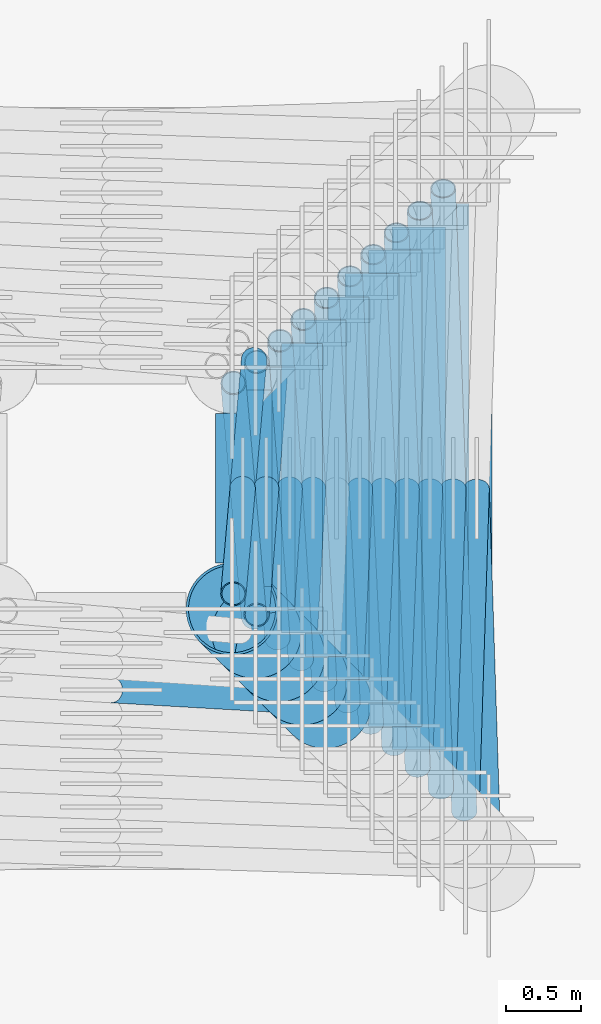
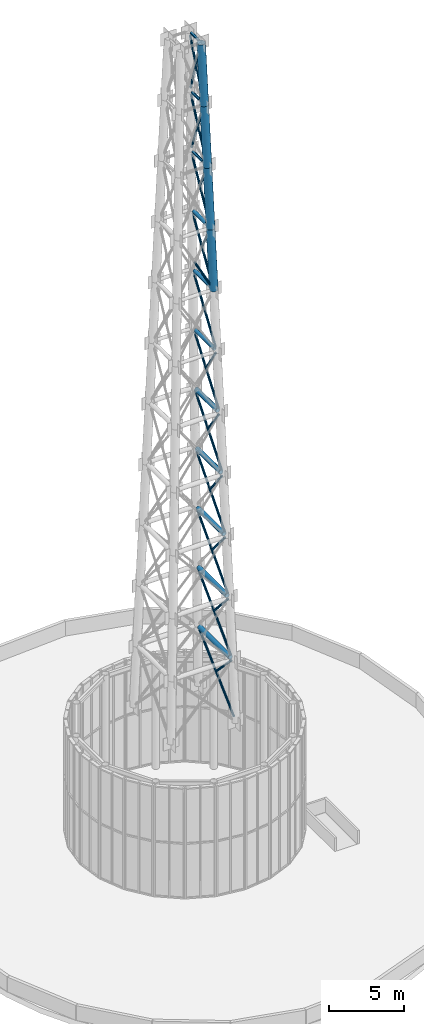
# One storey, part 4 of 11: 39 members.
"""IFC4 building model written with IfcOpenShell, lengths in metres."""

from ifc_helpers import new_model, si_unit, direction, frame, origin, origin_2d, place, context, subcontext, project, spatial, hollow_circle, extrude, material, material_profile, profile_set, type_object, element, save


model = new_model("IFC4")

# Units and contexts
model_context = context("Model", 3, precision=1e-05, world=origin(), true_north=direction((0.0, 1.0)))
body_context = subcontext(model_context, "Body", "Model", "MODEL_VIEW")
ifc_project = project(units=[si_unit("LENGTHUNIT", "METRE"), si_unit("AREAUNIT", "SQUARE_METRE"), si_unit("VOLUMEUNIT", "CUBIC_METRE"), si_unit("PLANEANGLEUNIT", "RADIAN"), si_unit("MASSUNIT", "GRAM", prefix="KILO")], contexts=[model_context])

# Site, building, storey
site_placement = place(None, origin())
site = spatial("IfcSite", under=ifc_project, at=site_placement, CompositionType="ELEMENT")
building_placement = place(site_placement, origin())
building = spatial("IfcBuilding", under=site, at=building_placement, Name="Vermilion Reach Broadcast Tower", CompositionType="ELEMENT")
storey_placement = place(building_placement, frame((0.0, 0.0, 329.699951171875)))
storey = spatial("IfcBuildingStorey", under=building, at=storey_placement, Name="RF", CompositionType="ELEMENT", Elevation=329.699951171875)

# Members
ifc_material_1 = material(Name="Steel S355J2H", Category="steel")
ifc_material_profile_1 = material_profile(ifc_material_1, hollow_circle(Radius=0.084228515625, WallThickness=0.008056640625, at=origin_2d()), Name="S355J2H CHS 168x8")
ifc_profile_set_1 = profile_set([ifc_material_profile_1], Name="Steel S355J2H")
member_type_1 = type_object("IfcMemberType", Name="MBR CHS 168x8", PredefinedType="BRACE", material=ifc_profile_set_1)
member_1_placement = place(storey_placement, frame((-3.5068359375, -2.287841796875, 9.718994140625), z_axis=(-0.022168783779, 0.695761707887, 0.717930491666), x_axis=(-0.99949277323, -0.031846448183, 0.0)))
element("IfcMember", 1, at=member_1_placement, inside=storey, type_object=member_type_1, Name="Mast brace panel 1", PredefinedType="BRACE", context=body_context, shape_type="SweptSolid", body=[
    extrude(hollow_circle(Radius=0.084228515625, WallThickness=0.008056640625, at=origin_2d()), origin(), (0.0, 0.0, 1.0), 6.3544921875),
])
member_2_placement = place(storey_placement, frame((-3.579833984375, 0.0, 12.079833984375), z_axis=(-0.022136242917, -0.695778743189, 0.717914986106), x_axis=(0.999494284838, -0.031798971296, 0.0)))
element("IfcMember", 2, at=member_2_placement, inside=storey, type_object=member_type_1, Name="Mast brace panel 1", PredefinedType="BRACE", context=body_context, shape_type="SweptSolid", body=[
    extrude(hollow_circle(Radius=0.084228515625, WallThickness=0.008056640625, at=origin_2d()), origin(), (0.0, 0.0, 1.0), 3.066162109375),
])
member_3_placement = place(storey_placement, frame((-3.66162109375, -2.140625, 14.725830078125), z_axis=(-0.022852051485, 0.671770828267, 0.740406468119), x_axis=(-0.999421902107, -0.033997964486, 0.0)))
element("IfcMember", 3, at=member_3_placement, inside=storey, type_object=member_type_1, Name="Mast brace panel 2", PredefinedType="BRACE", context=body_context, shape_type="SweptSolid", body=[
    extrude(hollow_circle(Radius=0.084228515625, WallThickness=0.008056640625, at=origin_2d()), origin(), (0.0, 0.0, 1.0), 6.14306640625),
])
member_4_placement = place(storey_placement, frame((-3.734375, 0.0, 17.085205078125), z_axis=(-0.022874281268, -0.671777177322, 0.740400021127), x_axis=(0.999420788764, -0.034030677134, 0.0)))
element("IfcMember", 4, at=member_4_placement, inside=storey, type_object=member_type_1, Name="Mast brace panel 2", PredefinedType="BRACE", context=body_context, shape_type="SweptSolid", body=[
    extrude(hollow_circle(Radius=0.084228515625, WallThickness=0.008056640625, at=origin_2d()), origin(), (0.0, 0.0, 1.0), 2.95654296875),
])
member_5_placement = place(storey_placement, frame((-3.81640625, -1.994140625, 19.73291015625), z_axis=(-0.023594585476, 0.645480445535, 0.763412267368), x_axis=(-0.999332588664, -0.036529128567, 0.0)))
element("IfcMember", 5, at=member_5_placement, inside=storey, type_object=member_type_1, Name="Mast brace panel 3", PredefinedType="BRACE", context=body_context, shape_type="SweptSolid", body=[
    extrude(hollow_circle(Radius=0.084228515625, WallThickness=0.008056640625, at=origin_2d()), origin(), (0.0, 0.0, 1.0), 5.939453125),
])
member_6_placement = place(storey_placement, frame((-3.88916015625, 0.0, 22.091552734375), z_axis=(-0.023644360041, -0.645508162712, 0.763387291033), x_axis=(0.999329830116, -0.03660451667, 0.0)))
element("IfcMember", 6, at=member_6_placement, inside=storey, type_object=member_type_1, Name="Mast brace panel 3", PredefinedType="BRACE", context=body_context, shape_type="SweptSolid", body=[
    extrude(hollow_circle(Radius=0.084228515625, WallThickness=0.008056640625, at=origin_2d()), origin(), (0.0, 0.0, 1.0), 2.849853515625),
])
member_7_placement = place(storey_placement, frame((-3.970947265625, -1.848388671875, 24.739990234375), z_axis=(-0.024353063313, 0.616646763717, 0.78686320101), x_axis=(-0.999221073228, -0.039461966708, 0.0)))
element("IfcMember", 7, at=member_7_placement, inside=storey, type_object=member_type_1, Name="Mast brace panel 4", PredefinedType="BRACE", context=body_context, shape_type="SweptSolid", body=[
    extrude(hollow_circle(Radius=0.084228515625, WallThickness=0.008056640625, at=origin_2d()), origin(), (0.0, 0.0, 1.0), 5.744384765625),
])
member_8_placement = place(storey_placement, frame((-4.0439453125, 0.0, 27.0986328125), z_axis=(-0.024353243827, -0.616652575441, 0.786858640873), x_axis=(0.99922107636, -0.03946188742, 0.0)))
element("IfcMember", 8, at=member_8_placement, inside=storey, type_object=member_type_1, Name="Mast brace panel 4", PredefinedType="BRACE", context=body_context, shape_type="SweptSolid", body=[
    extrude(hollow_circle(Radius=0.084228515625, WallThickness=0.008056640625, at=origin_2d()), origin(), (0.0, 0.0, 1.0), 2.746826171875),
])
member_9_placement = place(storey_placement, frame((-4.125732421875, -1.703369140625, 29.747314453125), z_axis=(-0.02507953529, 0.585086671812, 0.810582878784), x_axis=(-0.999082574948, -0.042825324697, 0.0)))
element("IfcMember", 9, at=member_9_placement, inside=storey, type_object=member_type_1, Name="Mast brace panel 5", PredefinedType="BRACE", context=body_context, shape_type="SweptSolid", body=[
    extrude(hollow_circle(Radius=0.084228515625, WallThickness=0.008056640625, at=origin_2d()), origin(), (0.0, 0.0, 1.0), 5.55859375),
])
member_10_placement = place(storey_placement, frame((-4.19873046875, 0.0, 32.107177734375), z_axis=(-0.025085714748, -0.585087405747, 0.810582157805), x_axis=(0.999082125717, -0.042835803625, 0.0)))
element("IfcMember", 10, at=member_10_placement, inside=storey, type_object=member_type_1, Name="Mast brace panel 5", PredefinedType="BRACE", context=body_context, shape_type="SweptSolid", body=[
    extrude(hollow_circle(Radius=0.084228515625, WallThickness=0.008056640625, at=origin_2d()), origin(), (0.0, 0.0, 1.0), 2.647216796875),
])
member_11_placement = place(storey_placement, frame((-4.280517578125, -1.559326171875, 34.754638671875), z_axis=(-0.025807611822, 0.550668216389, 0.834325166006), x_axis=(-0.998903595226, -0.046814607173, 0.0)))
element("IfcMember", 11, at=member_11_placement, inside=storey, type_object=member_type_1, Name="Mast brace panel 6", PredefinedType="BRACE", context=body_context, shape_type="SweptSolid", body=[
    extrude(hollow_circle(Radius=0.084228515625, WallThickness=0.008056640625, at=origin_2d()), origin(), (0.0, 0.0, 1.0), 5.3828125),
])
member_12_placement = place(storey_placement, frame((-4.353515625, 0.0, 37.1171875), z_axis=(-0.025839398173, -0.550666285519, 0.834325456579), x_axis=(0.998900889513, -0.046872304513, 0.0)))
element("IfcMember", 12, at=member_12_placement, inside=storey, type_object=member_type_1, Name="Mast brace panel 6", PredefinedType="BRACE", context=body_context, shape_type="SweptSolid", body=[
    extrude(hollow_circle(Radius=0.084228515625, WallThickness=0.008056640625, at=origin_2d()), origin(), (0.0, 0.0, 1.0), 2.551025390625),
])
member_13_placement = place(storey_placement, frame((-4.435302734375, -1.416259765625, 39.76171875), z_axis=(-0.026527514166, 0.513192774051, 0.857863315252), x_axis=(-0.998666684905, -0.051622208984, 0.0)))
element("IfcMember", 13, at=member_13_placement, inside=storey, type_object=member_type_1, Name="Mast brace panel 7", PredefinedType="BRACE", context=body_context, shape_type="SweptSolid", body=[
    extrude(hollow_circle(Radius=0.084228515625, WallThickness=0.008056640625, at=origin_2d()), origin(), (0.0, 0.0, 1.0), 5.21826171875),
])
member_14_placement = place(storey_placement, frame((-4.725830078125, -1.409912109375, 44.768798828125), z_axis=(-0.472540913647, 0.027253269785, 0.880887248299), x_axis=(-0.057578202863, -0.998340999136, 0.0)))
element("IfcMember", 14, at=member_14_placement, inside=storey, type_object=member_type_1, Name="Mast brace panel 8", PredefinedType="BRACE", context=body_context, shape_type="SweptSolid", body=[
    extrude(hollow_circle(Radius=0.084228515625, WallThickness=0.008056640625, at=origin_2d()), origin(), (0.0, 0.0, 1.0), 2.696533203125),
])
member_15_placement = place(storey_placement, frame((-4.590087890625, -1.274169921875, 44.768798828125), z_axis=(-0.027228391068, 0.472521016669, 0.880898690841), x_axis=(-0.998343880027, -0.057528229701, 0.0)))
element("IfcMember", 15, at=member_15_placement, inside=storey, type_object=member_type_1, Name="Mast brace panel 8", PredefinedType="BRACE", context=body_context, shape_type="SweptSolid", body=[
    extrude(hollow_circle(Radius=0.084228515625, WallThickness=0.008056640625, at=origin_2d()), origin(), (0.0, 0.0, 1.0), 5.06591796875),
])
member_16_placement = place(storey_placement, frame((-4.66357421875, 0.0, 47.14404296875), z_axis=(-0.027200080882, -0.472498374716, 0.880911710384), x_axis=(0.998347155541, -0.057471358278, 0.0)))
element("IfcMember", 16, at=member_16_placement, inside=storey, type_object=member_type_1, Name="Mast brace panel 8", PredefinedType="BRACE", context=body_context, shape_type="SweptSolid", body=[
    extrude(hollow_circle(Radius=0.084228515625, WallThickness=0.008056640625, at=origin_2d()), origin(), (0.0, 0.0, 1.0), 2.36962890625),
])
member_17_placement = place(storey_placement, frame((-4.744873046875, -1.1328125, 49.775390625), z_axis=(-0.027899959628, 0.428509681885, 0.903106330829), x_axis=(-0.997887105807, -0.064971717424, 0.0)))
element("IfcMember", 17, at=member_17_placement, inside=storey, type_object=member_type_1, Name="Mast brace panel 9", PredefinedType="BRACE", context=body_context, shape_type="SweptSolid", body=[
    extrude(hollow_circle(Radius=0.084228515625, WallThickness=0.008056640625, at=origin_2d()), origin(), (0.0, 0.0, 1.0), 4.926513671875),
])
member_18_placement = place(storey_placement, frame((-4.818603515625, 0.0, 52.162841796875), z_axis=(-0.027911294678, -0.428507884197, 0.903106833553), x_axis=(0.997885376383, -0.06499827383, 0.0)))
element("IfcMember", 18, at=member_18_placement, inside=storey, type_object=member_type_1, Name="Mast brace panel 9", PredefinedType="BRACE", context=body_context, shape_type="SweptSolid", body=[
    extrude(hollow_circle(Radius=0.084228515625, WallThickness=0.008056640625, at=origin_2d()), origin(), (0.0, 0.0, 1.0), 2.282958984375),
])
member_19_placement = place(storey_placement, frame((-4.899658203125, -0.99267578125, 54.781982421875), z_axis=(-0.028577811466, 0.381325637338, 0.923998954004), x_axis=(-0.997203523276, -0.074733748511, 0.0)))
element("IfcMember", 19, at=member_19_placement, inside=storey, type_object=member_type_1, Name="Mast brace panel 10", PredefinedType="BRACE", context=body_context, shape_type="SweptSolid", body=[
    extrude(hollow_circle(Radius=0.084228515625, WallThickness=0.008056640625, at=origin_2d()), origin(), (0.0, 0.0, 1.0), 4.80126953125),
])
member_20_placement = place(storey_placement, frame((-4.899658203125, 0.99267578125, 54.781982421875), z_axis=(-0.02851141682, -0.381340199973, 0.923994995114), x_axis=(0.997216659819, -0.07455825494, 0.0)))
element("IfcMember", 20, at=member_20_placement, inside=storey, type_object=member_type_1, Name="Mast brace panel 10", PredefinedType="BRACE", context=body_context, shape_type="SweptSolid", body=[
    extrude(hollow_circle(Radius=0.084228515625, WallThickness=0.008056640625, at=origin_2d()), origin(), (0.0, 0.0, 1.0), 2.60302734375),
])
member_21_placement = place(storey_placement, frame((-4.973876953125, 0.0, 57.187255859375), z_axis=(-0.028656441679, -0.381308388698, 0.924003636929), x_axis=(0.997187925026, -0.074941591802, 0.0)))
element("IfcMember", 21, at=member_21_placement, inside=storey, type_object=member_type_1, Name="Mast brace panel 10", PredefinedType="BRACE", context=body_context, shape_type="SweptSolid", body=[
    extrude(hollow_circle(Radius=0.084228515625, WallThickness=0.008056640625, at=origin_2d()), origin(), (0.0, 0.0, 1.0), 2.197998046875),
])
member_22_placement = place(storey_placement, frame((-5.054443359375, -0.853515625, 59.787841796875), z_axis=(-0.029144790589, 0.330949505994, 0.943198285444), x_axis=(-0.996144761225, -0.087724652663, 0.0)))
element("IfcMember", 22, at=member_22_placement, inside=storey, type_object=member_type_1, Name="Mast brace panel 11", PredefinedType="BRACE", context=body_context, shape_type="SweptSolid", body=[
    extrude(hollow_circle(Radius=0.084228515625, WallThickness=0.008056640625, at=origin_2d()), origin(), (0.0, 0.0, 1.0), 4.69091796875),
])
member_23_placement = place(storey_placement, frame((-5.054443359375, 0.853515625, 59.787841796875), z_axis=(-0.029158215786, -0.330964683072, 0.943192545036), x_axis=(0.996141581055, -0.087760757141, 0.0)))
element("IfcMember", 23, at=member_23_placement, inside=storey, type_object=member_type_1, Name="Mast brace panel 11", PredefinedType="BRACE", context=body_context, shape_type="SweptSolid", body=[
    extrude(hollow_circle(Radius=0.084228515625, WallThickness=0.008056640625, at=origin_2d()), origin(), (0.0, 0.0, 1.0), 2.578857421875),
])
member_24_placement = place(storey_placement, frame((-5.129638671875, 0.0, 62.22021484375), z_axis=(-0.029128398778, -0.330930975003, 0.943205293756), x_axis=(0.996148642773, -0.087680565134, 0.0)))
element("IfcMember", 24, at=member_24_placement, inside=storey, type_object=member_type_1, Name="Mast brace panel 11", PredefinedType="BRACE", context=body_context, shape_type="SweptSolid", body=[
    extrude(hollow_circle(Radius=0.084228515625, WallThickness=0.008056640625, at=origin_2d()), origin(), (0.0, 0.0, 1.0), 2.112060546875),
])
ifc_material_2 = material(Name="Steel S355J2H", Category="steel")
ifc_material_profile_2 = material_profile(ifc_material_2, hollow_circle(Radius=0.304931640625, WallThickness=0.02001953125, at=origin_2d()), Name="S355J2H CHS 610x20")
ifc_profile_set_2 = profile_set([ifc_material_profile_2], Name="Steel S355J2H")
member_type_2 = type_object("IfcMemberType", Name="MLG2 CHS 610x20", PredefinedType="POST", material=ifc_profile_set_2)
member_25_placement = place(storey_placement, frame((-4.581787109375, -1.418212890625, 44.5), z_axis=(-0.030878718237, 0.030878718237, 0.99904604975), x_axis=(-0.707106781187, -0.707106781187, 0.0)))
element("IfcMember", 25, at=member_25_placement, inside=storey, type_object=member_type_2, Name="Mast leg L2 panel 8", PredefinedType="POST", context=body_context, shape_type="SweptSolid", body=[
    extrude(hollow_circle(Radius=0.304931640625, WallThickness=0.02001953125, at=origin_2d()), origin(), (0.0, 0.0, 1.0), 5.0048828125),
])
ifc_material_3 = material(Name="Steel S355J2H", Category="steel")
ifc_material_profile_3 = material_profile(ifc_material_3, hollow_circle(Radius=0.304931640625, WallThickness=0.01611328125, at=origin_2d()), Name="S355J2H CHS 610x16")
ifc_profile_set_3 = profile_set([ifc_material_profile_3], Name="Steel S355J2H")
member_type_3 = type_object("IfcMemberType", Name="MLG3 CHS 610x16", PredefinedType="POST", material=ifc_profile_set_3)
for number, where, z_axis, x_axis, name in (
    (26, (-4.736328125, -1.263671875, 49.5), (-0.030878718237, 0.030878718237, 0.99904604975), (-0.707106781187, -0.707106781187, 0.0), "Mast leg L2 panel 9"),
    (27, (-4.890869140625, -1.109130859375, 54.5), (-0.030878718237, 0.030878718237, 0.99904604975), (-0.707106781187, -0.707106781187, 0.0), "Mast leg L2 panel 10"),
    (28, (-5.04541015625, -0.95458984375, 59.5), (-0.030878718237, 0.030878718237, 0.99904604975), (-0.707106781187, -0.707106781187, 0.0), "Mast leg L2 panel 11"),
):
    element("IfcMember", number, at=place(storey_placement, frame(where, z_axis=z_axis, x_axis=x_axis)), inside=storey, type_object=member_type_3, Name=name, PredefinedType="POST", context=body_context, shape_type="SweptSolid", body=[
        extrude(hollow_circle(Radius=0.304931640625, WallThickness=0.01611328125, at=origin_2d()), origin(), (0.0, 0.0, 1.0), 5.0048828125),
    ])
ifc_material_4 = material(Name="Steel S355J2H", Category="steel")
ifc_material_profile_4 = material_profile(ifc_material_4, hollow_circle(Radius=0.177734375, WallThickness=0.013916015625, at=origin_2d()), Name="S355J2H CHS 356x14")
ifc_profile_set_4 = profile_set([ifc_material_profile_4], Name="Steel S355J2H")
member_type_4 = type_object("IfcMemberType", Name="MTE1 CHS 356x14", PredefinedType="STRUT", material=ifc_profile_set_4)
member_26_placement = place(storey_placement, frame((-3.654541015625, -2.04052734375, 14.5), z_axis=(0.0, 1.0, 0.0), x_axis=(-1.0, 0.0, 0.0)))
element("IfcMember", 29, at=member_26_placement, inside=storey, type_object=member_type_4, Name="Mast tie level 1", PredefinedType="STRUT", context=body_context, shape_type="SweptSolid", body=[
    extrude(hollow_circle(Radius=0.177734375, WallThickness=0.013916015625, at=origin_2d()), origin(), (0.0, 0.0, 1.0), 4.0810546875),
])
member_27_placement = place(storey_placement, frame((-3.80908203125, -1.885986328125, 19.5), z_axis=(0.0, 1.0, 0.0), x_axis=(-1.0, 0.0, 0.0)))
element("IfcMember", 30, at=member_27_placement, inside=storey, type_object=member_type_4, Name="Mast tie level 2", PredefinedType="STRUT", context=body_context, shape_type="SweptSolid", body=[
    extrude(hollow_circle(Radius=0.177734375, WallThickness=0.013916015625, at=origin_2d()), origin(), (0.0, 0.0, 1.0), 3.77197265625),
])
member_28_placement = place(storey_placement, frame((-3.963623046875, -1.7314453125, 24.5), z_axis=(0.0, 1.0, 0.0), x_axis=(-1.0, 0.0, 0.0)))
element("IfcMember", 31, at=member_28_placement, inside=storey, type_object=member_type_4, Name="Mast tie level 3", PredefinedType="STRUT", context=body_context, shape_type="SweptSolid", body=[
    extrude(hollow_circle(Radius=0.177734375, WallThickness=0.013916015625, at=origin_2d()), origin(), (0.0, 0.0, 1.0), 3.462890625),
])
member_29_placement = place(storey_placement, frame((-4.1181640625, -1.576904296875, 29.5), z_axis=(0.0, 1.0, 0.0), x_axis=(-1.0, 0.0, 0.0)))
element("IfcMember", 32, at=member_29_placement, inside=storey, type_object=member_type_4, Name="Mast tie level 4", PredefinedType="STRUT", context=body_context, shape_type="SweptSolid", body=[
    extrude(hollow_circle(Radius=0.177734375, WallThickness=0.013916015625, at=origin_2d()), origin(), (0.0, 0.0, 1.0), 3.15380859375),
])
member_30_placement = place(storey_placement, frame((-4.272705078125, -1.42236328125, 34.5), z_axis=(0.0, 1.0, 0.0), x_axis=(-1.0, 0.0, 0.0)))
element("IfcMember", 33, at=member_30_placement, inside=storey, type_object=member_type_4, Name="Mast tie level 5", PredefinedType="STRUT", context=body_context, shape_type="SweptSolid", body=[
    extrude(hollow_circle(Radius=0.177734375, WallThickness=0.013916015625, at=origin_2d()), origin(), (0.0, 0.0, 1.0), 2.8447265625),
])
ifc_material_5 = material(Name="Steel S355J2H", Category="steel")
ifc_material_profile_5 = material_profile(ifc_material_5, hollow_circle(Radius=0.136474609375, WallThickness=0.011962890625, at=origin_2d()), Name="S355J2H CHS 273x12")
ifc_profile_set_5 = profile_set([ifc_material_profile_5], Name="Steel S355J2H")
member_type_5 = type_object("IfcMemberType", Name="MTE2 CHS 273x12", PredefinedType="STRUT", material=ifc_profile_set_5)
member_31_placement = place(storey_placement, frame((-4.42724609375, -1.267822265625, 39.5), z_axis=(0.0, 1.0, 0.0), x_axis=(-1.0, 0.0, 0.0)))
element("IfcMember", 34, at=member_31_placement, inside=storey, type_object=member_type_5, Name="Mast tie level 6", PredefinedType="STRUT", context=body_context, shape_type="SweptSolid", body=[
    extrude(hollow_circle(Radius=0.136474609375, WallThickness=0.011962890625, at=origin_2d()), origin(), (0.0, 0.0, 1.0), 2.53564453125),
])
member_32_placement = place(storey_placement, frame((-4.581787109375, -1.11328125, 44.5), z_axis=(0.0, 1.0, 0.0), x_axis=(-1.0, 0.0, 0.0)))
element("IfcMember", 35, at=member_32_placement, inside=storey, type_object=member_type_5, Name="Mast tie level 7", PredefinedType="STRUT", context=body_context, shape_type="SweptSolid", body=[
    extrude(hollow_circle(Radius=0.136474609375, WallThickness=0.011962890625, at=origin_2d()), origin(), (0.0, 0.0, 1.0), 2.2265625),
])
member_33_placement = place(storey_placement, frame((-4.736328125, -0.958740234375, 49.5), z_axis=(0.0, 1.0, 0.0), x_axis=(-1.0, 0.0, 0.0)))
element("IfcMember", 36, at=member_33_placement, inside=storey, type_object=member_type_5, Name="Mast tie level 8", PredefinedType="STRUT", context=body_context, shape_type="SweptSolid", body=[
    extrude(hollow_circle(Radius=0.136474609375, WallThickness=0.011962890625, at=origin_2d()), origin(), (0.0, 0.0, 1.0), 1.91748046875),
])
ifc_material_6 = material(Name="Steel S355J2H", Category="steel")
ifc_material_profile_6 = material_profile(ifc_material_6, hollow_circle(Radius=0.109619140625, WallThickness=0.010009765625, at=origin_2d()), Name="S355J2H CHS 219x10")
ifc_profile_set_6 = profile_set([ifc_material_profile_6], Name="Steel S355J2H")
member_type_6 = type_object("IfcMemberType", Name="MTE3 CHS 219x10", PredefinedType="STRUT", material=ifc_profile_set_6)
member_34_placement = place(storey_placement, frame((-4.890869140625, -0.80419921875, 54.5), z_axis=(0.0, 1.0, 0.0), x_axis=(-1.0, 0.0, 0.0)))
element("IfcMember", 37, at=member_34_placement, inside=storey, type_object=member_type_6, Name="Mast tie level 9", PredefinedType="STRUT", context=body_context, shape_type="SweptSolid", body=[
    extrude(hollow_circle(Radius=0.109619140625, WallThickness=0.010009765625, at=origin_2d()), origin(), (0.0, 0.0, 1.0), 1.6083984375),
])
member_35_placement = place(storey_placement, frame((-5.04541015625, -0.649658203125, 59.5), z_axis=(0.0, 1.0, 0.0), x_axis=(-1.0, 0.0, 0.0)))
element("IfcMember", 38, at=member_35_placement, inside=storey, type_object=member_type_6, Name="Mast tie level 10", PredefinedType="STRUT", context=body_context, shape_type="SweptSolid", body=[
    extrude(hollow_circle(Radius=0.109619140625, WallThickness=0.010009765625, at=origin_2d()), origin(), (0.0, 0.0, 1.0), 1.29931640625),
])
member_36_placement = place(storey_placement, frame((-5.199951171875, -0.4951171875, 64.5), z_axis=(0.0, 1.0, 0.0), x_axis=(-1.0, 0.0, 0.0)))
element("IfcMember", 39, at=member_36_placement, inside=storey, type_object=member_type_6, Name="Mast tie level 11", PredefinedType="STRUT", context=body_context, shape_type="SweptSolid", body=[
    extrude(hollow_circle(Radius=0.109619140625, WallThickness=0.010009765625, at=origin_2d()), origin(), (0.0, 0.0, 1.0), 0.990234375),
])

save(model, "model.ifc")
